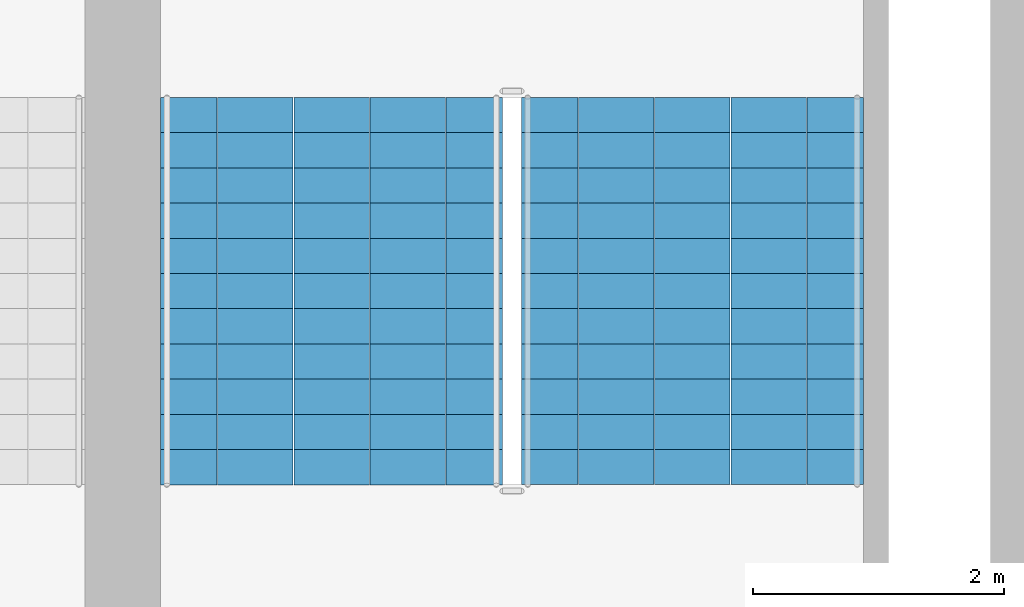
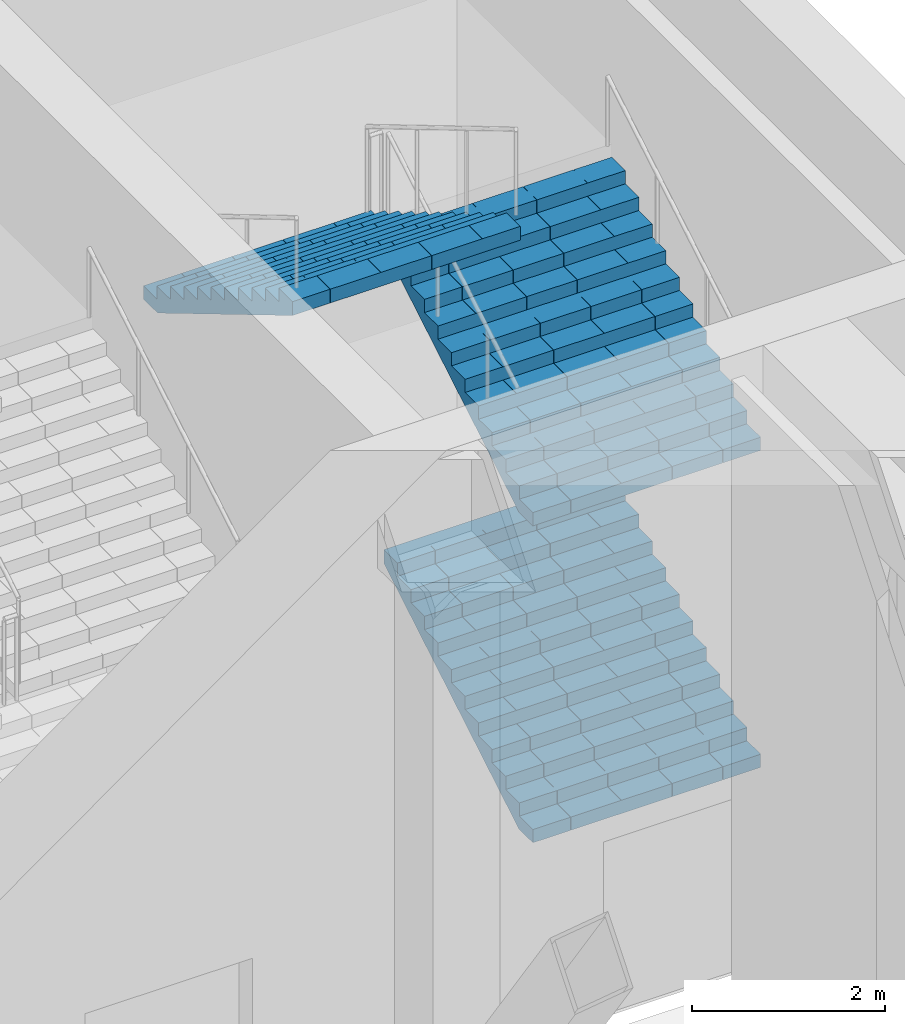
# One storey, part 17 of 20: 3 stair flights, 1 element without a shape of its own.
"""IFC4 building model written with IfcOpenShell, lengths in metres."""

from ifc_helpers import new_model, si_unit, direction, frame, origin, place, context, subcontext, project, spatial, polyline, outline, extrude, material, type_object, element, aggregate, save


model = new_model("IFC4")

# Units and contexts
model_context = context("Model", 3, precision=1e-05, world=origin(), true_north=direction((0.0, 1.0)))
body_context = subcontext(model_context, "Body", "Model", "MODEL_VIEW")
ifc_project = project(units=[si_unit("LENGTHUNIT", "METRE"), si_unit("AREAUNIT", "SQUARE_METRE"), si_unit("VOLUMEUNIT", "CUBIC_METRE"), si_unit("PLANEANGLEUNIT", "RADIAN"), si_unit("MASSUNIT", "GRAM", prefix="KILO")], contexts=[model_context])

# Site, building, storey
site_placement = place(None, origin())
site = spatial("IfcSite", under=ifc_project, at=site_placement, CompositionType="ELEMENT")
building_placement = place(site_placement, origin())
building = spatial("IfcBuilding", under=site, at=building_placement, Name="Corbelhall Arena Tower", CompositionType="ELEMENT")
storey_placement = place(building_placement, frame((0.0, 0.0, 52.0)))
storey = spatial("IfcBuildingStorey", under=building, at=storey_placement, Name="L07", CompositionType="ELEMENT", Elevation=52.0)

# Stair, stair flights
ifc_material = material(Name="Reinforced concrete C40/50", Category="concrete")
stair_type = type_object("IfcStairType", Name="AR-EXIT-STAIR", PredefinedType="HALF_TURN_STAIR", material=ifc_material)
stair_placement = place(storey_placement, origin())
stair = element("IfcStair", 1, at=stair_placement, inside=storey, type_object=stair_type, Name="L07 exit stair AS2", PredefinedType="HALF_TURN_STAIR")
stair_flight_type = type_object("IfcStairFlightType", Name="AR-EXIT-FLIGHT", PredefinedType="STRAIGHT", material=ifc_material)
stair_flight_1_placement = place(storey_placement, frame((45.030029296875, 27.320068359375, 0.0), z_axis=(0.0, 0.0, 1.0), x_axis=(0.0, 1.0, 0.0)))
stair_flight_1 = element("IfcStairFlight", 2, at=stair_flight_1_placement, type_object=stair_flight_type, Name="AS2 flight 1", NumberOfRisers=12, NumberOfTreads=11, PredefinedType="STRAIGHT", RiserHeight=0.166666667, TreadLength=0.28, context=body_context, shape_type="SweptSolid", body=[
    extrude(outline(polyline([(0.0, 0.0), (0.0, 0.166748046875), (0.280029296875, 0.166748046875), (0.280029296875, 0.333251953125), (0.56005859375, 0.333251953125), (0.56005859375, 0.5), (0.840087890625, 0.5), (0.840087890625, 0.666748046875), (1.1201171875, 0.666748046875), (1.1201171875, 0.833251953125), (1.39990234375, 0.833251953125), (1.39990234375, 1.0), (1.679931640625, 1.0), (1.679931640625, 1.166748046875), (1.9599609375, 1.166748046875), (1.9599609375, 1.333251953125), (2.239990234375, 1.333251953125), (2.239990234375, 1.5), (2.52001953125, 1.5), (2.52001953125, 1.666748046875), (2.800048828125, 1.666748046875), (2.800048828125, 1.833251953125), (3.080078125, 1.833251953125), (3.080078125, 2.0), (3.080078125, 1.658935546875), (0.29296875, 0.0), (0.0, 0.0)])), frame((0.0, 1.35986328125, 0.0), z_axis=(0.0, -1.0, 0.0), x_axis=(1.0, 0.0, 0.0)), (0.0, 0.0, 1.0), 0.449951171875),
    extrude(outline(polyline([(0.0, 0.0), (0.0, 0.166748046875), (0.280029296875, 0.166748046875), (0.280029296875, 0.333251953125), (0.56005859375, 0.333251953125), (0.56005859375, 0.5), (0.840087890625, 0.5), (0.840087890625, 0.666748046875), (1.1201171875, 0.666748046875), (1.1201171875, 0.833251953125), (1.39990234375, 0.833251953125), (1.39990234375, 1.0), (1.679931640625, 1.0), (1.679931640625, 1.166748046875), (1.9599609375, 1.166748046875), (1.9599609375, 1.333251953125), (2.239990234375, 1.333251953125), (2.239990234375, 1.5), (2.52001953125, 1.5), (2.52001953125, 1.666748046875), (2.800048828125, 1.666748046875), (2.800048828125, 1.833251953125), (3.080078125, 1.833251953125), (3.080078125, 2.0), (3.080078125, 1.658935546875), (0.29296875, 0.0), (0.0, 0.0)])), frame((0.0, 0.906005859375, 0.0), z_axis=(0.0, -1.0, 0.0), x_axis=(1.0, 0.0, 0.0)), (0.0, 0.0, 1.0), 0.601318359375),
    extrude(outline(polyline([(0.0, 0.0), (0.0, 0.166748046875), (0.280029296875, 0.166748046875), (0.280029296875, 0.333251953125), (0.56005859375, 0.333251953125), (0.56005859375, 0.5), (0.840087890625, 0.5), (0.840087890625, 0.666748046875), (1.1201171875, 0.666748046875), (1.1201171875, 0.833251953125), (1.39990234375, 0.833251953125), (1.39990234375, 1.0), (1.679931640625, 1.0), (1.679931640625, 1.166748046875), (1.9599609375, 1.166748046875), (1.9599609375, 1.333251953125), (2.239990234375, 1.333251953125), (2.239990234375, 1.5), (2.52001953125, 1.5), (2.52001953125, 1.666748046875), (2.800048828125, 1.666748046875), (2.800048828125, 1.833251953125), (3.080078125, 1.833251953125), (3.080078125, 2.0), (3.080078125, 1.658935546875), (0.29296875, 0.0), (0.0, 0.0)])), frame((0.0, 0.30078125, 0.0), z_axis=(0.0, -1.0, 0.0), x_axis=(1.0, 0.0, 0.0)), (0.0, 0.0, 1.0), 0.601318359375),
    extrude(outline(polyline([(0.0, 0.0), (0.0, 0.166748046875), (0.280029296875, 0.166748046875), (0.280029296875, 0.333251953125), (0.56005859375, 0.333251953125), (0.56005859375, 0.5), (0.840087890625, 0.5), (0.840087890625, 0.666748046875), (1.1201171875, 0.666748046875), (1.1201171875, 0.833251953125), (1.39990234375, 0.833251953125), (1.39990234375, 1.0), (1.679931640625, 1.0), (1.679931640625, 1.166748046875), (1.9599609375, 1.166748046875), (1.9599609375, 1.333251953125), (2.239990234375, 1.333251953125), (2.239990234375, 1.5), (2.52001953125, 1.5), (2.52001953125, 1.666748046875), (2.800048828125, 1.666748046875), (2.800048828125, 1.833251953125), (3.080078125, 1.833251953125), (3.080078125, 2.0), (3.080078125, 1.658935546875), (0.29296875, 0.0), (0.0, 0.0)])), frame((0.0, -0.3046875, 0.0), z_axis=(0.0, -1.0, 0.0), x_axis=(1.0, 0.0, 0.0)), (0.0, 0.0, 1.0), 0.601318359375),
    extrude(outline(polyline([(0.0, 0.0), (0.0, 0.166748046875), (0.280029296875, 0.166748046875), (0.280029296875, 0.333251953125), (0.56005859375, 0.333251953125), (0.56005859375, 0.5), (0.840087890625, 0.5), (0.840087890625, 0.666748046875), (1.1201171875, 0.666748046875), (1.1201171875, 0.833251953125), (1.39990234375, 0.833251953125), (1.39990234375, 1.0), (1.679931640625, 1.0), (1.679931640625, 1.166748046875), (1.9599609375, 1.166748046875), (1.9599609375, 1.333251953125), (2.239990234375, 1.333251953125), (2.239990234375, 1.5), (2.52001953125, 1.5), (2.52001953125, 1.666748046875), (2.800048828125, 1.666748046875), (2.800048828125, 1.833251953125), (3.080078125, 1.833251953125), (3.080078125, 2.0), (3.080078125, 1.658935546875), (0.29296875, 0.0), (0.0, 0.0)])), frame((0.0, -0.909912109375, 0.0), z_axis=(0.0, -1.0, 0.0), x_axis=(1.0, 0.0, 0.0)), (0.0, 0.0, 1.0), 0.449951171875),
])
stair_flight_2_placement = place(storey_placement, frame((45.030029296875, 27.320068359375, 4.0), z_axis=(0.0, 0.0, 1.0), x_axis=(0.0, 1.0, 0.0)))
stair_flight_2 = element("IfcStairFlight", 3, at=stair_flight_2_placement, type_object=stair_flight_type, Name="AS2 flight 3", NumberOfRisers=12, NumberOfTreads=11, PredefinedType="STRAIGHT", RiserHeight=0.166666667, TreadLength=0.28, context=body_context, shape_type="SweptSolid", body=[
    extrude(outline(polyline([(0.0, 0.0), (0.0, 0.166748046875), (0.280029296875, 0.166748046875), (0.280029296875, 0.333251953125), (0.56005859375, 0.333251953125), (0.56005859375, 0.5), (0.840087890625, 0.5), (0.840087890625, 0.666748046875), (1.1201171875, 0.666748046875), (1.1201171875, 0.833251953125), (1.39990234375, 0.833251953125), (1.39990234375, 1.0), (1.679931640625, 1.0), (1.679931640625, 1.166748046875), (1.9599609375, 1.166748046875), (1.9599609375, 1.333251953125), (2.239990234375, 1.333251953125), (2.239990234375, 1.5), (2.52001953125, 1.5), (2.52001953125, 1.666748046875), (2.800048828125, 1.666748046875), (2.800048828125, 1.833251953125), (3.080078125, 1.833251953125), (3.080078125, 2.0), (3.080078125, 1.658935546875), (0.29296875, 0.0), (0.0, 0.0)])), frame((0.0, 1.35986328125, 0.0), z_axis=(0.0, -1.0, 0.0), x_axis=(1.0, 0.0, 0.0)), (0.0, 0.0, 1.0), 0.449951171875),
    extrude(outline(polyline([(0.0, 0.0), (0.0, 0.166748046875), (0.280029296875, 0.166748046875), (0.280029296875, 0.333251953125), (0.56005859375, 0.333251953125), (0.56005859375, 0.5), (0.840087890625, 0.5), (0.840087890625, 0.666748046875), (1.1201171875, 0.666748046875), (1.1201171875, 0.833251953125), (1.39990234375, 0.833251953125), (1.39990234375, 1.0), (1.679931640625, 1.0), (1.679931640625, 1.166748046875), (1.9599609375, 1.166748046875), (1.9599609375, 1.333251953125), (2.239990234375, 1.333251953125), (2.239990234375, 1.5), (2.52001953125, 1.5), (2.52001953125, 1.666748046875), (2.800048828125, 1.666748046875), (2.800048828125, 1.833251953125), (3.080078125, 1.833251953125), (3.080078125, 2.0), (3.080078125, 1.658935546875), (0.29296875, 0.0), (0.0, 0.0)])), frame((0.0, 0.906005859375, 0.0), z_axis=(0.0, -1.0, 0.0), x_axis=(1.0, 0.0, 0.0)), (0.0, 0.0, 1.0), 0.601318359375),
    extrude(outline(polyline([(0.0, 0.0), (0.0, 0.166748046875), (0.280029296875, 0.166748046875), (0.280029296875, 0.333251953125), (0.56005859375, 0.333251953125), (0.56005859375, 0.5), (0.840087890625, 0.5), (0.840087890625, 0.666748046875), (1.1201171875, 0.666748046875), (1.1201171875, 0.833251953125), (1.39990234375, 0.833251953125), (1.39990234375, 1.0), (1.679931640625, 1.0), (1.679931640625, 1.166748046875), (1.9599609375, 1.166748046875), (1.9599609375, 1.333251953125), (2.239990234375, 1.333251953125), (2.239990234375, 1.5), (2.52001953125, 1.5), (2.52001953125, 1.666748046875), (2.800048828125, 1.666748046875), (2.800048828125, 1.833251953125), (3.080078125, 1.833251953125), (3.080078125, 2.0), (3.080078125, 1.658935546875), (0.29296875, 0.0), (0.0, 0.0)])), frame((0.0, 0.30078125, 0.0), z_axis=(0.0, -1.0, 0.0), x_axis=(1.0, 0.0, 0.0)), (0.0, 0.0, 1.0), 0.601318359375),
    extrude(outline(polyline([(0.0, 0.0), (0.0, 0.166748046875), (0.280029296875, 0.166748046875), (0.280029296875, 0.333251953125), (0.56005859375, 0.333251953125), (0.56005859375, 0.5), (0.840087890625, 0.5), (0.840087890625, 0.666748046875), (1.1201171875, 0.666748046875), (1.1201171875, 0.833251953125), (1.39990234375, 0.833251953125), (1.39990234375, 1.0), (1.679931640625, 1.0), (1.679931640625, 1.166748046875), (1.9599609375, 1.166748046875), (1.9599609375, 1.333251953125), (2.239990234375, 1.333251953125), (2.239990234375, 1.5), (2.52001953125, 1.5), (2.52001953125, 1.666748046875), (2.800048828125, 1.666748046875), (2.800048828125, 1.833251953125), (3.080078125, 1.833251953125), (3.080078125, 2.0), (3.080078125, 1.658935546875), (0.29296875, 0.0), (0.0, 0.0)])), frame((0.0, -0.3046875, 0.0), z_axis=(0.0, -1.0, 0.0), x_axis=(1.0, 0.0, 0.0)), (0.0, 0.0, 1.0), 0.601318359375),
    extrude(outline(polyline([(0.0, 0.0), (0.0, 0.166748046875), (0.280029296875, 0.166748046875), (0.280029296875, 0.333251953125), (0.56005859375, 0.333251953125), (0.56005859375, 0.5), (0.840087890625, 0.5), (0.840087890625, 0.666748046875), (1.1201171875, 0.666748046875), (1.1201171875, 0.833251953125), (1.39990234375, 0.833251953125), (1.39990234375, 1.0), (1.679931640625, 1.0), (1.679931640625, 1.166748046875), (1.9599609375, 1.166748046875), (1.9599609375, 1.333251953125), (2.239990234375, 1.333251953125), (2.239990234375, 1.5), (2.52001953125, 1.5), (2.52001953125, 1.666748046875), (2.800048828125, 1.666748046875), (2.800048828125, 1.833251953125), (3.080078125, 1.833251953125), (3.080078125, 2.0), (3.080078125, 1.658935546875), (0.29296875, 0.0), (0.0, 0.0)])), frame((0.0, -0.909912109375, 0.0), z_axis=(0.0, -1.0, 0.0), x_axis=(1.0, 0.0, 0.0)), (0.0, 0.0, 1.0), 0.449951171875),
])
stair_flight_3_placement = place(storey_placement, frame((42.159912109375, 30.39990234375, 6.0), z_axis=(0.0, 0.0, 1.0), x_axis=(0.0, -1.0, 0.0)))
stair_flight_3 = element("IfcStairFlight", 4, at=stair_flight_3_placement, type_object=stair_flight_type, Name="AS2 flight 4", NumberOfRisers=12, NumberOfTreads=11, PredefinedType="STRAIGHT", RiserHeight=0.166666667, TreadLength=0.28, context=body_context, shape_type="SweptSolid", body=[
    extrude(outline(polyline([(0.0, 0.0), (0.0, 0.166748046875), (0.280029296875, 0.166748046875), (0.280029296875, 0.333251953125), (0.56005859375, 0.333251953125), (0.56005859375, 0.5), (0.840087890625, 0.5), (0.840087890625, 0.666748046875), (1.1201171875, 0.666748046875), (1.1201171875, 0.833251953125), (1.39990234375, 0.833251953125), (1.39990234375, 1.0), (1.679931640625, 1.0), (1.679931640625, 1.166748046875), (1.9599609375, 1.166748046875), (1.9599609375, 1.333251953125), (2.239990234375, 1.333251953125), (2.239990234375, 1.5), (2.52001953125, 1.5), (2.52001953125, 1.666748046875), (2.800048828125, 1.666748046875), (2.800048828125, 1.833251953125), (3.080078125, 1.833251953125), (3.080078125, 2.0), (3.080078125, 1.658935546875), (0.29296875, 0.0), (0.0, 0.0)])), frame((0.0, 1.35986328125, 0.0), z_axis=(0.0, -1.0, 0.0), x_axis=(1.0, 0.0, 0.0)), (0.0, 0.0, 1.0), 0.449951171875),
    extrude(outline(polyline([(0.0, 0.0), (0.0, 0.166748046875), (0.280029296875, 0.166748046875), (0.280029296875, 0.333251953125), (0.56005859375, 0.333251953125), (0.56005859375, 0.5), (0.840087890625, 0.5), (0.840087890625, 0.666748046875), (1.1201171875, 0.666748046875), (1.1201171875, 0.833251953125), (1.39990234375, 0.833251953125), (1.39990234375, 1.0), (1.679931640625, 1.0), (1.679931640625, 1.166748046875), (1.9599609375, 1.166748046875), (1.9599609375, 1.333251953125), (2.239990234375, 1.333251953125), (2.239990234375, 1.5), (2.52001953125, 1.5), (2.52001953125, 1.666748046875), (2.800048828125, 1.666748046875), (2.800048828125, 1.833251953125), (3.080078125, 1.833251953125), (3.080078125, 2.0), (3.080078125, 1.658935546875), (0.29296875, 0.0), (0.0, 0.0)])), frame((0.0, 0.906005859375, 0.0), z_axis=(0.0, -1.0, 0.0), x_axis=(1.0, 0.0, 0.0)), (0.0, 0.0, 1.0), 0.601318359375),
    extrude(outline(polyline([(0.0, 0.0), (0.0, 0.166748046875), (0.280029296875, 0.166748046875), (0.280029296875, 0.333251953125), (0.56005859375, 0.333251953125), (0.56005859375, 0.5), (0.840087890625, 0.5), (0.840087890625, 0.666748046875), (1.1201171875, 0.666748046875), (1.1201171875, 0.833251953125), (1.39990234375, 0.833251953125), (1.39990234375, 1.0), (1.679931640625, 1.0), (1.679931640625, 1.166748046875), (1.9599609375, 1.166748046875), (1.9599609375, 1.333251953125), (2.239990234375, 1.333251953125), (2.239990234375, 1.5), (2.52001953125, 1.5), (2.52001953125, 1.666748046875), (2.800048828125, 1.666748046875), (2.800048828125, 1.833251953125), (3.080078125, 1.833251953125), (3.080078125, 2.0), (3.080078125, 1.658935546875), (0.29296875, 0.0), (0.0, 0.0)])), frame((0.0, 0.30078125, 0.0), z_axis=(0.0, -1.0, 0.0), x_axis=(1.0, 0.0, 0.0)), (0.0, 0.0, 1.0), 0.601318359375),
    extrude(outline(polyline([(0.0, 0.0), (0.0, 0.166748046875), (0.280029296875, 0.166748046875), (0.280029296875, 0.333251953125), (0.56005859375, 0.333251953125), (0.56005859375, 0.5), (0.840087890625, 0.5), (0.840087890625, 0.666748046875), (1.1201171875, 0.666748046875), (1.1201171875, 0.833251953125), (1.39990234375, 0.833251953125), (1.39990234375, 1.0), (1.679931640625, 1.0), (1.679931640625, 1.166748046875), (1.9599609375, 1.166748046875), (1.9599609375, 1.333251953125), (2.239990234375, 1.333251953125), (2.239990234375, 1.5), (2.52001953125, 1.5), (2.52001953125, 1.666748046875), (2.800048828125, 1.666748046875), (2.800048828125, 1.833251953125), (3.080078125, 1.833251953125), (3.080078125, 2.0), (3.080078125, 1.658935546875), (0.29296875, 0.0), (0.0, 0.0)])), frame((0.0, -0.3046875, 0.0), z_axis=(0.0, -1.0, 0.0), x_axis=(1.0, 0.0, 0.0)), (0.0, 0.0, 1.0), 0.601318359375),
    extrude(outline(polyline([(0.0, 0.0), (0.0, 0.166748046875), (0.280029296875, 0.166748046875), (0.280029296875, 0.333251953125), (0.56005859375, 0.333251953125), (0.56005859375, 0.5), (0.840087890625, 0.5), (0.840087890625, 0.666748046875), (1.1201171875, 0.666748046875), (1.1201171875, 0.833251953125), (1.39990234375, 0.833251953125), (1.39990234375, 1.0), (1.679931640625, 1.0), (1.679931640625, 1.166748046875), (1.9599609375, 1.166748046875), (1.9599609375, 1.333251953125), (2.239990234375, 1.333251953125), (2.239990234375, 1.5), (2.52001953125, 1.5), (2.52001953125, 1.666748046875), (2.800048828125, 1.666748046875), (2.800048828125, 1.833251953125), (3.080078125, 1.833251953125), (3.080078125, 2.0), (3.080078125, 1.658935546875), (0.29296875, 0.0), (0.0, 0.0)])), frame((0.0, -0.909912109375, 0.0), z_axis=(0.0, -1.0, 0.0), x_axis=(1.0, 0.0, 0.0)), (0.0, 0.0, 1.0), 0.449951171875),
])
aggregate(stair, [stair_flight_1, stair_flight_2, stair_flight_3])

save(model, "model.ifc")
